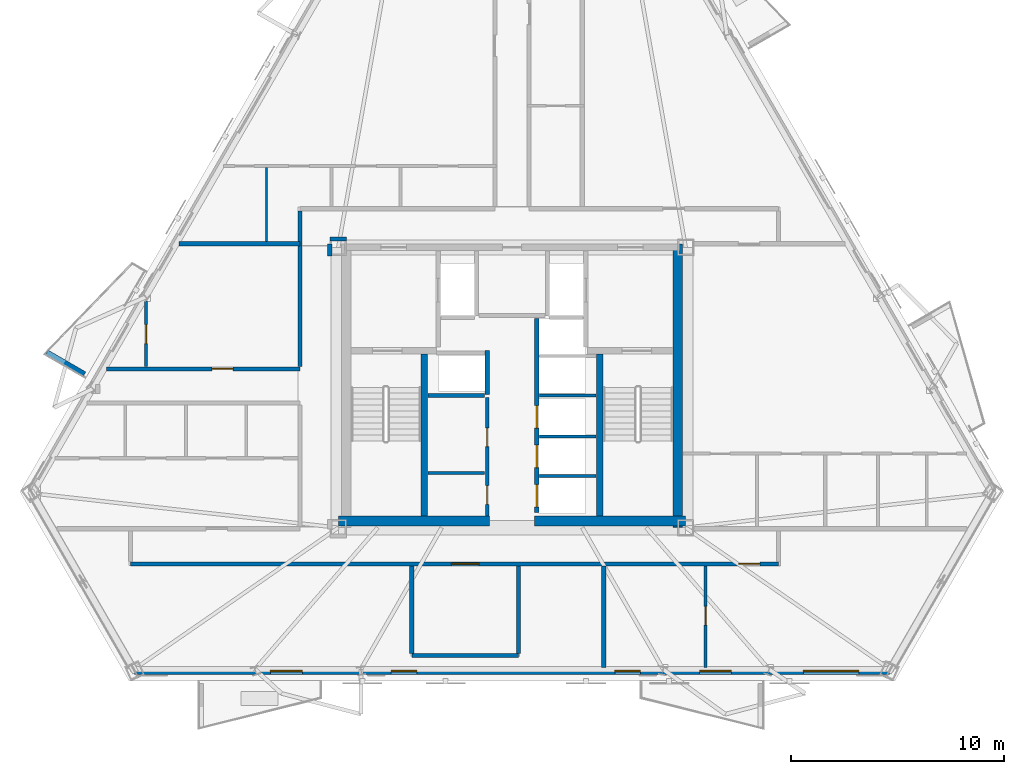
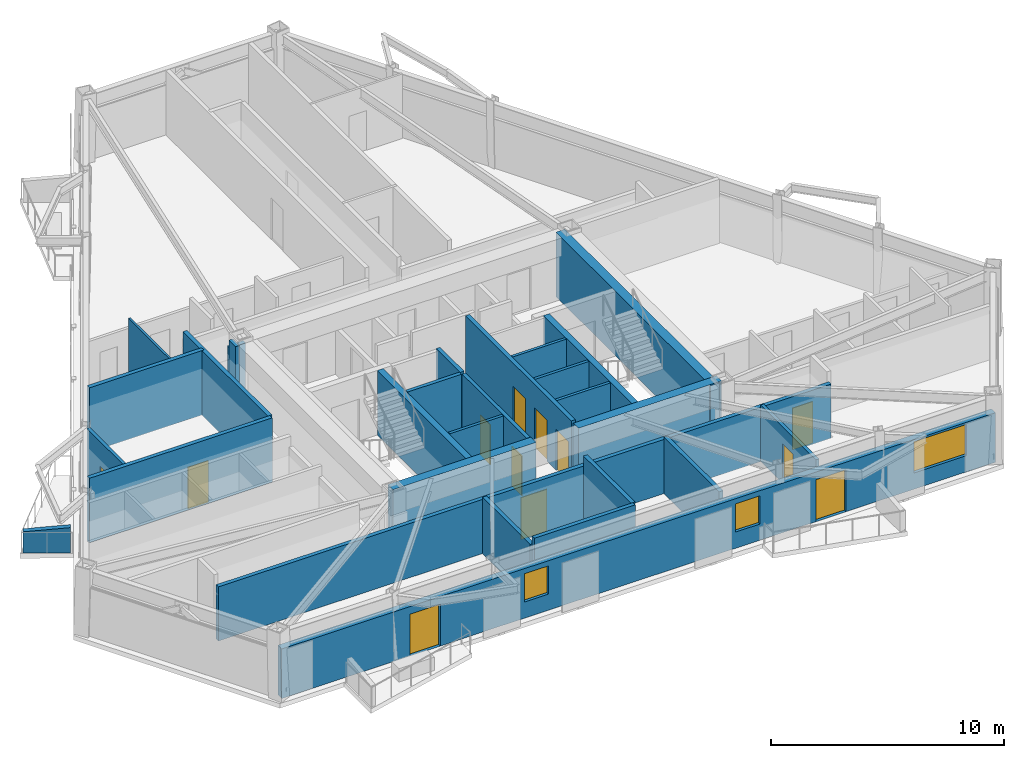
# One storey, part 3 of 9: 28 walls, 12 doors, 3 windows, 15 openings.
"""IFC4 building model written with IfcOpenShell, lengths in metres."""

import ifcopenshell
import ifcopenshell.guid

model = None  # the IFC model being written
_history = None  # IfcOwnerHistory: only IFC2X3 demands one
_inside = {}  # id of a spatial element -> (the spatial element, [elements in it])
_under = {}  # id of a project, library or spatial element -> (it, [spatial elements below it])
_declared = {}  # id of a project -> (the project, [libraries it declares])
_typed = {}  # id of a type object -> (the type object, [elements of that type])
_made_of = {}  # id of a material, layer set ... -> (it, [elements and type objects made of it])


def new_model(schema):
    """Start an empty IFC model of exactly this schema.

    Asked for "IFC4X3", IfcOpenShell would pick the latest addendum, in which some entities
    have other attributes; the version numbers below select the first issue.
    IFC2X3 requires an IfcOwnerHistory on every rooted entity: one is made here for all.
    """
    global model, _history
    if schema == "IFC4X3":
        model = ifcopenshell.file(schema_version=(4, 3, 0, 0))
    else:
        model = ifcopenshell.file(schema=schema)
    _inside.clear()
    _under.clear()
    _declared.clear()
    _typed.clear()
    _made_of.clear()
    _history = None
    if model.schema == "IFC2X3":
        org = make("IfcOrganization", Name="unknown")
        user = make(
            "IfcPersonAndOrganization",
            ThePerson=make("IfcPerson", FamilyName="unknown"),
            TheOrganization=org,
        )
        app = make(
            "IfcApplication",
            ApplicationDeveloper=org,
            Version="unknown",
            ApplicationFullName="unknown",
            ApplicationIdentifier="unknown",
        )
        _history = make(
            "IfcOwnerHistory",
            OwningUser=user,
            OwningApplication=app,
            ChangeAction="ADDED",
            CreationDate=0,
        )
    return model


def make(cls, **values):
    """One entity of the class cls with the attributes given. An attribute that is None is left unset."""
    return model.create_entity(
        cls, **{name: value for name, value in values.items() if value is not None}
    )


def rooted(cls, **values):
    """An entity with a GlobalId (a new one), such as an element, a storey or a relation."""
    return make(cls, GlobalId=ifcopenshell.guid.new(), OwnerHistory=_history, **values)


def si_unit(unit_type, name, prefix=None):
    """IfcSIUnit, for example si_unit("LENGTHUNIT", "METRE", prefix="MILLI")."""
    return make("IfcSIUnit", UnitType=unit_type, Prefix=prefix, Name=name)


def assignment(units):
    """IfcUnitAssignment: the units of a project."""
    return None if units is None else make("IfcUnitAssignment", Units=units)


def point(xyz):
    """IfcCartesianPoint."""
    return None if xyz is None else make("IfcCartesianPoint", Coordinates=xyz)


def direction(xyz):
    """IfcDirection."""
    return None if xyz is None else make("IfcDirection", DirectionRatios=xyz)


def frame(location, z_axis=None, x_axis=None):
    """IfcAxis2Placement3D, a coordinate frame: its origin and axes. An axis left out is left unset."""
    return make(
        "IfcAxis2Placement3D",
        Location=point(location),
        Axis=direction(z_axis),
        RefDirection=direction(x_axis),
    )


def frame_2d(location, x_axis=None):
    """IfcAxis2Placement2D, a coordinate frame in the plane: its origin and x axis."""
    return make(
        "IfcAxis2Placement2D", Location=point(location), RefDirection=direction(x_axis)
    )


def origin():
    """The frame at (0, 0, 0) with its axes left unset."""
    return frame((0.0, 0.0, 0.0))


def place(relative_to, where):
    """IfcLocalPlacement: puts the frame where relative to a parent placement (None: the world)."""
    return make(
        "IfcLocalPlacement", PlacementRelTo=relative_to, RelativePlacement=where
    )


def context(
    kind, dimensions, precision=None, world=None, true_north=None, identifier=None
):
    """IfcGeometricRepresentationContext, for example the 3D "Model" context."""
    return make(
        "IfcGeometricRepresentationContext",
        ContextIdentifier=identifier,
        ContextType=kind,
        CoordinateSpaceDimension=dimensions,
        Precision=precision,
        WorldCoordinateSystem=world,
        TrueNorth=true_north,
    )


def subcontext(parent, identifier, kind, view, scale=None):
    """IfcGeometricRepresentationSubContext, for example "Body" below "Model"."""
    return make(
        "IfcGeometricRepresentationSubContext",
        ContextIdentifier=identifier,
        ContextType=kind,
        ParentContext=parent,
        TargetScale=scale,
        TargetView=view,
    )


def project(units=None, contexts=None):
    """IfcProject with its units and contexts."""
    return rooted(
        "IfcProject",
        Name="project",
        RepresentationContexts=contexts,
        UnitsInContext=assignment(units),
    )


def spatial(cls, under=None, at=None, **own):
    """A site, building, storey or space (cls), placed at a placement, below another one or the project."""
    s = rooted(cls, ObjectPlacement=at, **own)
    if under is not None:
        _under.setdefault(under.id(), (under, []))[1].append(s)
    return s


def polyline(points):
    """IfcPolyline through the points."""
    return make("IfcPolyline", Points=[point(p) for p in points])


def profile(cls, at=None, kind="AREA", **sizes):
    """A parametric profile (cls). Its sizes go by their IFC names, for example OverallWidth=200.0."""
    return make(cls, ProfileType=kind, Position=at, **sizes)


def rectangle(**sizes):
    """IfcRectangleProfileDef."""
    return profile("IfcRectangleProfileDef", **sizes)


def outline(outer, holes=None, kind="AREA"):
    """IfcArbitraryClosedProfileDef: a profile drawn as a closed curve; with holes, ...WithVoids."""
    if holes is None:
        return make("IfcArbitraryClosedProfileDef", ProfileType=kind, OuterCurve=outer)
    return make(
        "IfcArbitraryProfileDefWithVoids",
        ProfileType=kind,
        OuterCurve=outer,
        InnerCurves=holes,
    )


def extrude(swept, where, along, depth):
    """IfcExtrudedAreaSolid: the profile swept, set in the frame where, extruded along a direction by depth."""
    return make(
        "IfcExtrudedAreaSolid",
        SweptArea=swept,
        Position=where,
        ExtrudedDirection=direction(along),
        Depth=depth,
    )


def shape(context_of_items, identifier, shape_type, items):
    """IfcShapeRepresentation: the items that make up one representation, for example the "Body"."""
    return make(
        "IfcShapeRepresentation",
        ContextOfItems=context_of_items,
        RepresentationIdentifier=identifier,
        RepresentationType=shape_type,
        Items=items,
    )


def material(Name=None, Category=None):
    """IfcMaterial."""
    return make("IfcMaterial", Name=Name, Category=Category)


def layer(
    of_material, thickness, ventilated=None, Name=None, Category=None, Priority=None
):
    """IfcMaterialLayer: one layer of a wall or slab, of a material (None: an air gap)."""
    return make(
        "IfcMaterialLayer",
        Material=of_material,
        LayerThickness=thickness,
        IsVentilated=ventilated,
        Name=Name,
        Category=Category,
        Priority=Priority,
    )


def layer_set(layers, Name=None):
    """IfcMaterialLayerSet."""
    return make("IfcMaterialLayerSet", MaterialLayers=layers, LayerSetName=Name)


def made_of(thing, what):
    """Note that an element or type object is made of a material, layer set ...; save() writes the relation."""
    if what is not None:
        _made_of.setdefault(what.id(), (what, []))[1].append(thing)
    return thing


def type_object(cls, material=None, **own):
    """A type object (cls), such as IfcWallType, which elements share."""
    return made_of(rooted(cls, **own), material)


def element(
    cls,
    number,
    at=None,
    inside=None,
    cuts=None,
    type_object=None,
    material=None,
    context=None,
    identifier="Body",
    shape_type=None,
    held_by="IfcProductDefinitionShape",
    body=None,
    shapes=None,
    **own,
):
    """One element of the class cls, such as IfcWall. Its Tag is "e" and its number.

    at: its placement. inside: the storey or other place that contains it. cuts: it is an
    opening in that element (IfcRelVoidsElement). A single representation is given by context,
    identifier, shape_type and body (its items); several are given by shapes. held_by: the class
    of the entity that holds the representations. save() writes the other relations.
    """
    e = rooted(cls, Tag="e%d" % number, ObjectPlacement=at, **own)
    if body is not None:
        shapes = [shape(context, identifier, shape_type, body)]
    if shapes is not None:
        e.Representation = make(held_by, Representations=shapes)
    if inside is not None:
        _inside.setdefault(inside.id(), (inside, []))[1].append(e)
    if cuts is not None:
        rooted(
            "IfcRelVoidsElement", RelatingBuildingElement=cuts, RelatedOpeningElement=e
        )
    if type_object is not None:
        _typed.setdefault(type_object.id(), (type_object, []))[1].append(e)
    return made_of(e, material)


def fill(opening, filler):
    """IfcRelFillsElement: the door or window that sits in an opening."""
    return rooted(
        "IfcRelFillsElement",
        RelatingOpeningElement=opening,
        RelatedBuildingElement=filler,
    )


def aggregate(whole, parts):
    """IfcRelAggregates: a whole, such as a stair, and the parts it consists of."""
    return rooted("IfcRelAggregates", RelatingObject=whole, RelatedObjects=parts)


def save(model, path):
    """Write the relations noted so far, then the file.

    IfcRelAggregates (storeys below a building ...), IfcRelContainedInSpatialStructure (elements
    in a storey), IfcRelDefinesByType, IfcRelAssociatesMaterial and IfcRelDeclares: one each for
    every whole, place, type object, material and project.
    """
    for whole, parts in _under.values():
        aggregate(whole, parts)
    for where, things in _inside.values():
        rooted(
            "IfcRelContainedInSpatialStructure",
            RelatedElements=things,
            RelatingStructure=where,
        )
    for kind, things in _typed.values():
        rooted("IfcRelDefinesByType", RelatedObjects=things, RelatingType=kind)
    for what, things in _made_of.values():
        rooted("IfcRelAssociatesMaterial", RelatedObjects=things, RelatingMaterial=what)
    for by, libraries in _declared.values():
        rooted("IfcRelDeclares", RelatingContext=by, RelatedDefinitions=libraries)
    model.write(path)


model = new_model("IFC4")

# Units and contexts
model_context = context("Model", 3, precision=1e-05, world=origin(), true_north=direction((0.0, 1.0)))
body_context = subcontext(model_context, "Body", "Model", "MODEL_VIEW")
ifc_project = project(units=[si_unit("LENGTHUNIT", "METRE"), si_unit("AREAUNIT", "SQUARE_METRE"), si_unit("VOLUMEUNIT", "CUBIC_METRE"), si_unit("PLANEANGLEUNIT", "RADIAN"), si_unit("MASSUNIT", "GRAM", prefix="KILO")], contexts=[model_context])

# Site, building, storey
site_placement = place(None, origin())
site = spatial("IfcSite", under=ifc_project, at=site_placement, CompositionType="ELEMENT")
building_placement = place(site_placement, origin())
building = spatial("IfcBuilding", under=site, at=building_placement, Name="Oramaril Tower", CompositionType="ELEMENT")
storey_placement = place(building_placement, frame((0.0, 0.0, 145.800048828125)))
storey = spatial("IfcBuildingStorey", under=building, at=storey_placement, Name="L38", CompositionType="ELEMENT", Elevation=145.800048828125)

# Wall, openings, doors, windows
ifc_material_1 = material(Name="Warm Cream Limestone", Category="masonry")
ifc_layer_1 = layer(ifc_material_1, 0.340087890625)
ifc_layer_set_1 = layer_set([ifc_layer_1], Name="WT-EXT34")
wall_type_1 = type_object("IfcWallType", Name="WT-EXT34", PredefinedType="SOLIDWALL", material=ifc_layer_set_1)
wall_1_placement = place(storey_placement, frame((19.79833984375, 4.27880859375, 0.0), z_axis=(0.0, 0.0, 1.0), x_axis=(1.0, 0.0, 0.0)))
wall_1 = element("IfcWall", 1, at=wall_1_placement, inside=storey, type_object=wall_type_1, Name="L38 Tower Limestone Facade Wall 2M", PredefinedType="SOLIDWALL", context=body_context, shape_type="SweptSolid", body=[
    extrude(rectangle(XDim=35.4033203125, YDim=0.340087890625, at=frame_2d((17.70166015625, 0.0))), origin(), (0.0, 0.0, 1.0), 2.599853515625),
])
opening_1_placement = place(wall_1_placement, frame((6.369384765625, 0.0, 0.0)))
opening_1 = element("IfcOpeningElement", 2, at=opening_1_placement, cuts=wall_1, Name="Opening D-L38-BAL-S1", PredefinedType="OPENING", context=body_context, shape_type="SweptSolid", body=[
    extrude(rectangle(XDim=1.5, YDim=2.199951171875, at=frame_2d((0.75, 1.10009765625))), frame((0.0, 0.169921875, 0.0), z_axis=(0.0, -1.0, 0.0), x_axis=(1.0, 0.0, 0.0)), (0.0, 0.0, 1.0), 0.340087890625),
])
opening_2_placement = place(wall_1_placement, frame((26.4990234375, 0.0, 0.0)))
opening_2 = element("IfcOpeningElement", 3, at=opening_2_placement, cuts=wall_1, Name="Opening D-L38-BAL-S2", PredefinedType="OPENING", context=body_context, shape_type="SweptSolid", body=[
    extrude(rectangle(XDim=1.5, YDim=2.199951171875, at=frame_2d((0.75, 1.10009765625))), frame((0.0, 0.169921875, 0.0), z_axis=(0.0, -1.0, 0.0), x_axis=(1.0, 0.0, 0.0)), (0.0, 0.0, 1.0), 0.340087890625),
])
opening_3_placement = place(wall_1_placement, frame((12.034423828125, 0.0, 0.85009765625)))
opening_3 = element("IfcOpeningElement", 4, at=opening_3_placement, cuts=wall_1, Name="Opening WN-09", PredefinedType="OPENING", context=body_context, shape_type="SweptSolid", body=[
    extrude(rectangle(XDim=1.199951171875, YDim=1.47998046875, at=frame_2d((0.60009765625, 0.739990234375))), frame((0.0, 0.169921875, 0.0), z_axis=(0.0, -1.0, 0.0), x_axis=(1.0, 0.0, 0.0)), (0.0, 0.0, 1.0), 0.340087890625),
])
opening_4_placement = place(wall_1_placement, frame((31.373046875, 0.0, 0.85009765625)))
opening_4 = element("IfcOpeningElement", 5, at=opening_4_placement, cuts=wall_1, Name="Opening WN-02", PredefinedType="OPENING", context=body_context, shape_type="SweptSolid", body=[
    extrude(rectangle(XDim=2.60009765625, YDim=1.639892578125, at=frame_2d((1.300048828125, 0.81982421875))), frame((0.0, 0.169921875, 0.0), z_axis=(0.0, -1.0, 0.0), x_axis=(1.0, 0.0, 0.0)), (0.0, 0.0, 1.0), 0.340087890625),
])
opening_5_placement = place(wall_1_placement, frame((22.524169921875, 0.0, 0.85009765625)))
opening_5 = element("IfcOpeningElement", 6, at=opening_5_placement, cuts=wall_1, Name="Opening WN-09", PredefinedType="OPENING", context=body_context, shape_type="SweptSolid", body=[
    extrude(rectangle(XDim=1.199951171875, YDim=1.47998046875, at=frame_2d((0.60009765625, 0.739990234375))), frame((0.0, 0.169921875, 0.0), z_axis=(0.0, -1.0, 0.0), x_axis=(1.0, 0.0, 0.0)), (0.0, 0.0, 1.0), 0.340087890625),
])
ifc_material_2 = material(Name="Anodised Aluminium 6063-T6", Category="aluminium")
door_type_1 = type_object("IfcDoorType", Name="DT-BAL", OperationType="NOTDEFINED", PredefinedType="DOOR", material=ifc_material_2)
door_1_placement = place(opening_1_placement, origin())
door_1 = element("IfcDoor", 7, at=door_1_placement, inside=storey, type_object=door_type_1, Name="L38 Balcony Glazed Door L38-BAL-S1", OperationType="SINGLE_SWING_LEFT", OverallHeight=2.199951171875, OverallWidth=1.5, PredefinedType="DOOR", context=body_context, shape_type="SweptSolid", body=[
    extrude(rectangle(XDim=1.5, YDim=2.199951171875, at=frame_2d((0.75, 1.10009765625))), frame((0.0, 0.02490234375, 0.0), z_axis=(0.0, -1.0, 0.0), x_axis=(1.0, 0.0, 0.0)), (0.0, 0.0, 1.0), 0.050048828125),
])
fill(opening_1, door_1)
door_2_placement = place(opening_2_placement, origin())
door_2 = element("IfcDoor", 8, at=door_2_placement, inside=storey, type_object=door_type_1, Name="L38 Balcony Glazed Door L38-BAL-S2", OperationType="SINGLE_SWING_RIGHT", OverallHeight=2.199951171875, OverallWidth=1.5, PredefinedType="DOOR", context=body_context, shape_type="SweptSolid", body=[
    extrude(rectangle(XDim=1.5, YDim=2.199951171875, at=frame_2d((0.75, 1.10009765625))), frame((0.0, 0.02490234375, 0.0), z_axis=(0.0, -1.0, 0.0), x_axis=(1.0, 0.0, 0.0)), (0.0, 0.0, 1.0), 0.050048828125),
])
fill(opening_2, door_2)
ifc_material_3 = material(Name="Coastal Low-E Insulated Glass", Category="glass")
window_type_1 = type_object("IfcWindowType", Name="WNT-02", PartitioningType="SINGLE_PANEL", PredefinedType="WINDOW", material=ifc_material_3)
window_1_placement = place(opening_4_placement, origin())
window_1 = element("IfcWindow", 9, at=window_1_placement, inside=storey, type_object=window_type_1, Name="L38 Chicago Bay Window WN-02", OverallHeight=1.639892578125, OverallWidth=2.60009765625, PartitioningType="SINGLE_PANEL", PredefinedType="WINDOW", context=body_context, shape_type="SweptSolid", body=[
    extrude(rectangle(XDim=2.60009765625, YDim=1.639892578125, at=frame_2d((1.300048828125, 0.81982421875))), frame((0.0, 0.030029296875, 0.0), z_axis=(0.0, -1.0, 0.0), x_axis=(1.0, 0.0, 0.0)), (0.0, 0.0, 1.0), 0.06005859375),
])
fill(opening_4, window_1)
ifc_material_4 = material(Name="Coastal Low-E Insulated Glass", Category="glass")
window_type_2 = type_object("IfcWindowType", Name="WNT-09", PartitioningType="SINGLE_PANEL", PredefinedType="WINDOW", material=ifc_material_4)
window_2_placement = place(opening_3_placement, origin())
window_2 = element("IfcWindow", 10, at=window_2_placement, inside=storey, type_object=window_type_2, Name="L38 Chicago Bay Window WN-09", OverallHeight=1.47998046875, OverallWidth=1.199951171875, PartitioningType="SINGLE_PANEL", PredefinedType="WINDOW", context=body_context, shape_type="SweptSolid", body=[
    extrude(rectangle(XDim=1.199951171875, YDim=1.47998046875, at=frame_2d((0.60009765625, 0.739990234375))), frame((0.0, 0.030029296875, 0.0), z_axis=(0.0, -1.0, 0.0), x_axis=(1.0, 0.0, 0.0)), (0.0, 0.0, 1.0), 0.06005859375),
])
fill(opening_3, window_2)
window_3_placement = place(opening_5_placement, origin())
window_3 = element("IfcWindow", 11, at=window_3_placement, inside=storey, type_object=window_type_2, Name="L38 Chicago Bay Window WN-09", OverallHeight=1.47998046875, OverallWidth=1.199951171875, PartitioningType="SINGLE_PANEL", PredefinedType="WINDOW", context=body_context, shape_type="SweptSolid", body=[
    extrude(rectangle(XDim=1.199951171875, YDim=1.47998046875, at=frame_2d((0.60009765625, 0.739990234375))), frame((0.0, 0.030029296875, 0.0), z_axis=(0.0, -1.0, 0.0), x_axis=(1.0, 0.0, 0.0)), (0.0, 0.0, 1.0), 0.06005859375),
])
fill(opening_5, window_3)

# Walls
ifc_material_5 = material(Name="Concrete C40/50", Category="concrete")
ifc_layer_2 = layer(ifc_material_5, 0.22998046875)
ifc_layer_set_2 = layer_set([ifc_layer_2], Name="WT-PRP23")
wall_type_2 = type_object("IfcWallType", Name="WT-PRP23", PredefinedType="PARAPET", material=ifc_layer_set_2)
wall_2_placement = place(storey_placement, frame((17.449462890625, 18.209716796875, 0.0), z_axis=(0.0, 0.0, 1.0), x_axis=(-0.866042246008, 0.499970827278, 0.0)))
element("IfcWall", 12, at=wall_2_placement, inside=storey, type_object=wall_type_2, Name="L38 Trapezoidal Balcony Frame Cheek L38-BAL-NW2-R", PredefinedType="PARAPET", context=body_context, shape_type="SweptSolid", body=[
    extrude(outline(polyline([(0.0, 0.0), (2.0419921875, 0.0), (2.0419921875, 1.099853515625), (0.0, 1.320068359375), (0.0, 0.0)])), frame((0.0, 0.114990234375, 0.0), z_axis=(0.0, -1.0, 0.0), x_axis=(1.0, 0.0, 0.0)), (0.0, 0.0, 1.0), 0.22998046875),
])
ifc_material_6 = material(Name="Acoustic Gypsum Board Partition")
ifc_layer_3 = layer(ifc_material_6, 0.10009765625)
ifc_layer_set_3 = layer_set([ifc_layer_3], Name="WT-PT10")
wall_type_3 = type_object("IfcWallType", Name="WT-PT10", PredefinedType="PARTITIONING", material=ifc_layer_set_3)
wall_3_placement = place(storey_placement, frame((25.97998046875, 24.424072265625, 0.0), z_axis=(0.0, 0.0, 1.0), x_axis=(0.0, 1.0, 0.0)))
element("IfcWall", 13, at=wall_3_placement, inside=storey, type_object=wall_type_3, Name="L38 Interior Partition PT-10", PredefinedType="PARTITIONING", context=body_context, shape_type="SweptSolid", body=[
    extrude(rectangle(XDim=3.471923828125, YDim=0.10009765625, at=frame_2d((1.73583984375, 0.0))), origin(), (0.0, 0.0, 1.0), 3.3798828125),
])
ifc_material_7 = material(Name="Acoustic Gypsum Board Partition")
ifc_layer_4 = layer(ifc_material_7, 0.139892578125)
ifc_layer_set_4 = layer_set([ifc_layer_4], Name="WT-PT14")
wall_type_4 = type_object("IfcWallType", Name="WT-PT14", PredefinedType="PARTITIONING", material=ifc_layer_set_4)
for number, where, z_axis, x_axis, name in (
    (14, (33.56005859375, 13.570068359375, 0.0), (0.0, 0.0, 1.0), (1.0, 0.0, 0.0), "L38 Freed Shaft Divider"),
    (15, (38.780029296875, 13.419921875, 0.0), (0.0, 0.0, 1.0), (1.0, 0.0, 0.0), "L38 East Lift Divider"),
    (16, (38.780029296875, 15.27001953125, 0.0), (0.0, 0.0, 1.0), (1.0, 0.0, 0.0), "L38 East Lift Divider"),
    (17, (38.780029296875, 17.199951171875, 0.0), (0.0, 0.0, 1.0), (1.0, 0.0, 0.0), "L38 East Lift Divider"),
):
    element("IfcWall", number, at=place(storey_placement, frame(where, z_axis=z_axis, x_axis=x_axis)), inside=storey, type_object=wall_type_4, Name=name, PredefinedType="PARTITIONING", context=body_context, shape_type="SweptSolid", body=[
        extrude(rectangle(XDim=2.659912109375, YDim=0.139892578125, at=frame_2d((1.330078125, 0.0))), origin(), (0.0, 0.0, 1.0), 3.3798828125),
    ])

# Wall, opening, door
ifc_material_8 = material(Name="Acoustic Gypsum Board Partition")
ifc_layer_5 = layer(ifc_material_8, 0.159912109375)
ifc_layer_set_5 = layer_set([ifc_layer_5], Name="WT-PT16")
wall_type_5 = type_object("IfcWallType", Name="WT-PT16", PredefinedType="PARTITIONING", material=ifc_layer_set_5)
wall_4_placement = place(storey_placement, frame((20.330078125, 18.553955078125, 0.0), z_axis=(0.0, 0.0, 1.0), x_axis=(0.0, 1.0, 0.0)))
wall_4 = element("IfcWall", 18, at=wall_4_placement, inside=storey, type_object=wall_type_5, Name="L38 Interior Partition PT-16", PredefinedType="PARTITIONING", context=body_context, shape_type="SweptSolid", body=[
    extrude(rectangle(XDim=3.084716796875, YDim=0.159912109375, at=frame_2d((1.54248046875, 0.0))), origin(), (0.0, 0.0, 1.0), 3.3798828125),
])
opening_6_placement = place(wall_4_placement, frame((1.0888671875, 0.0, 0.0)))
opening_6 = element("IfcOpeningElement", 19, at=opening_6_placement, cuts=wall_4, Name="Opening D-L38-22", PredefinedType="OPENING", context=body_context, shape_type="SweptSolid", body=[
    extrude(rectangle(XDim=0.8798828125, YDim=2.080078125, at=frame_2d((0.43994140625, 1.0400390625))), frame((0.0, 0.080078125, 0.0), z_axis=(0.0, -1.0, 0.0), x_axis=(1.0, 0.0, 0.0)), (0.0, 0.0, 1.0), 0.159912109375),
])
ifc_material_9 = material(Name="FSC Brazilian Freijo Hardwood", Category="wood")
door_type_2 = type_object("IfcDoorType", Name="DT-BATH", OperationType="NOTDEFINED", PredefinedType="DOOR", material=ifc_material_9)
door_3_placement = place(opening_6_placement, origin())
door_3 = element("IfcDoor", 20, at=door_3_placement, inside=storey, type_object=door_type_2, Name="L38 Flat L38-U4 Bathroom Door D-L38-22", OperationType="SINGLE_SWING_RIGHT", OverallHeight=2.080078125, OverallWidth=0.8798828125, PredefinedType="DOOR", context=body_context, shape_type="SweptSolid", body=[
    extrude(rectangle(XDim=0.8798828125, YDim=2.080078125, at=frame_2d((0.43994140625, 1.0400390625))), frame((0.0, 0.02490234375, 0.0), z_axis=(0.0, -1.0, 0.0), x_axis=(1.0, 0.0, 0.0)), (0.0, 0.0, 1.0), 0.050048828125),
])
fill(opening_6, door_3)

wall_5_placement = place(storey_placement, frame((46.580078125, 4.452880859375, 0.0), z_axis=(0.0, 0.0, 1.0), x_axis=(0.0, 1.0, 0.0)))
wall_5 = element("IfcWall", 21, at=wall_5_placement, inside=storey, type_object=wall_type_5, Name="L38 Interior Partition PT-16", PredefinedType="PARTITIONING", context=body_context, shape_type="SweptSolid", body=[
    extrude(rectangle(XDim=4.7431640625, YDim=0.159912109375, at=frame_2d((2.37158203125, 0.0))), origin(), (0.0, 0.0, 1.0), 2.966064453125),
])
opening_7_placement = place(wall_5_placement, frame((1.9716796875, 0.0, 0.0)))
opening_7 = element("IfcOpeningElement", 22, at=opening_7_placement, cuts=wall_5, Name="Opening D-L38-25", PredefinedType="OPENING", context=body_context, shape_type="SweptSolid", body=[
    extrude(rectangle(XDim=0.8798828125, YDim=2.080078125, at=frame_2d((0.43994140625, 1.0400390625))), frame((0.0, 0.080078125, 0.0), z_axis=(0.0, -1.0, 0.0), x_axis=(1.0, 0.0, 0.0)), (0.0, 0.0, 1.0), 0.159912109375),
])
door_4_placement = place(opening_7_placement, origin())
door_4 = element("IfcDoor", 23, at=door_4_placement, inside=storey, type_object=door_type_2, Name="L38 Flat L38-U2 Bathroom Door D-L38-25", OperationType="SINGLE_SWING_LEFT", OverallHeight=2.080078125, OverallWidth=0.8798828125, PredefinedType="DOOR", context=body_context, shape_type="SweptSolid", body=[
    extrude(rectangle(XDim=0.8798828125, YDim=2.080078125, at=frame_2d((0.43994140625, 1.0400390625))), frame((0.0, 0.02490234375, 0.0), z_axis=(0.0, -1.0, 0.0), x_axis=(1.0, 0.0, 0.0)), (0.0, 0.0, 1.0), 0.050048828125),
])
fill(opening_7, door_4)

# Wall
ifc_material_10 = material(Name="Autoclaved Cellular Concrete Block", Category="concrete")
ifc_layer_6 = layer(ifc_material_10, 0.179931640625)
ifc_layer_set_6 = layer_set([ifc_layer_6], Name="WT-PT18")
wall_type_6 = type_object("IfcWallType", Name="WT-PT18", PredefinedType="PARTITIONING", material=ifc_layer_set_6)
wall_6_placement = place(storey_placement, frame((33.56005859375, 17.199951171875, 0.0), z_axis=(0.0, 0.0, 1.0), x_axis=(1.0, 0.0, 0.0)))
element("IfcWall", 24, at=wall_6_placement, inside=storey, type_object=wall_type_6, Name="L38 High-Rise Lift H1 South Wall", PredefinedType="PARTITIONING", context=body_context, shape_type="SweptSolid", body=[
    extrude(rectangle(XDim=2.659912109375, YDim=0.179931640625, at=frame_2d((1.330078125, 0.0))), origin(), (0.0, 0.0, 1.0), 3.3798828125),
])

# Wall, openings, doors
wall_7_placement = place(storey_placement, frame((36.340087890625, 11.550048828125, 0.0), z_axis=(0.0, 0.0, 1.0), x_axis=(0.0, 1.0, 0.0)))
wall_7 = element("IfcWall", 25, at=wall_7_placement, inside=storey, type_object=wall_type_6, Name="L38 Freed Shaft Study East Wall", PredefinedType="PARTITIONING", context=body_context, shape_type="SweptSolid", body=[
    extrude(rectangle(XDim=5.550048828125, YDim=0.179931640625, at=frame_2d((2.77490234375, 0.0))), origin(), (0.0, 0.0, 1.0), 3.3798828125),
])
opening_8_placement = place(wall_7_placement, frame((0.550048828125, 0.0, 0.0)))
opening_8 = element("IfcOpeningElement", 26, at=opening_8_placement, cuts=wall_7, Name="Opening D-L38-FL1", PredefinedType="OPENING", context=body_context, shape_type="SweptSolid", body=[
    extrude(rectangle(XDim=0.8798828125, YDim=2.080078125, at=frame_2d((0.43994140625, 1.0400390625))), frame((0.0, 0.08984375, 0.0), z_axis=(0.0, -1.0, 0.0), x_axis=(1.0, 0.0, 0.0)), (0.0, 0.0, 1.0), 0.179931640625),
])
opening_9_placement = place(wall_7_placement, frame((3.25, 0.0, 0.0)))
opening_9 = element("IfcOpeningElement", 27, at=opening_9_placement, cuts=wall_7, Name="Opening D-L38-FL2", PredefinedType="OPENING", context=body_context, shape_type="SweptSolid", body=[
    extrude(rectangle(XDim=0.8798828125, YDim=2.080078125, at=frame_2d((0.43994140625, 1.0400390625))), frame((0.0, 0.08984375, 0.0), z_axis=(0.0, -1.0, 0.0), x_axis=(1.0, 0.0, 0.0)), (0.0, 0.0, 1.0), 0.179931640625),
])
door_5_placement = place(opening_8_placement, origin())
door_5 = element("IfcDoor", 28, at=door_5_placement, inside=storey, type_object=door_type_2, Name="L38 L38 Residents Tasting Dining Nook Door", OperationType="SINGLE_SWING_LEFT", OverallHeight=2.080078125, OverallWidth=0.8798828125, PredefinedType="DOOR", context=body_context, shape_type="SweptSolid", body=[
    extrude(rectangle(XDim=0.8798828125, YDim=2.080078125, at=frame_2d((0.43994140625, 1.0400390625))), frame((0.0, 0.02490234375, 0.0), z_axis=(0.0, -1.0, 0.0), x_axis=(1.0, 0.0, 0.0)), (0.0, 0.0, 1.0), 0.050048828125),
])
fill(opening_8, door_5)
door_6_placement = place(opening_9_placement, origin())
door_6 = element("IfcDoor", 29, at=door_6_placement, inside=storey, type_object=door_type_2, Name="L38 L38 Floor Co-Work Office Door", OperationType="SINGLE_SWING_RIGHT", OverallHeight=2.080078125, OverallWidth=0.8798828125, PredefinedType="DOOR", context=body_context, shape_type="SweptSolid", body=[
    extrude(rectangle(XDim=0.8798828125, YDim=2.080078125, at=frame_2d((0.43994140625, 1.0400390625))), frame((0.0, 0.02490234375, 0.0), z_axis=(0.0, -1.0, 0.0), x_axis=(1.0, 0.0, 0.0)), (0.0, 0.0, 1.0), 0.050048828125),
])
fill(opening_9, door_6)

# Wall
ifc_material_11 = material(Name="Autoclaved Cellular Concrete Block", Category="concrete")
ifc_layer_7 = layer(ifc_material_11, 0.199951171875)
ifc_layer_set_7 = layer_set([ifc_layer_7], Name="WT-PT20")
wall_type_7 = type_object("IfcWallType", Name="WT-PT20", PredefinedType="PARTITIONING", material=ifc_layer_set_7)
wall_8_placement = place(storey_placement, frame((32.800048828125, 5.0, 0.0), z_axis=(0.0, 0.0, 1.0), x_axis=(1.0, 0.0, 0.0)))
element("IfcWall", 30, at=wall_8_placement, inside=storey, type_object=wall_type_7, Name="L38 Interior Partition PT-20", PredefinedType="PARTITIONING", context=body_context, shape_type="SweptSolid", body=[
    extrude(rectangle(XDim=5.0, YDim=0.199951171875, at=frame_2d((2.5, 0.0))), origin(), (0.0, 0.0, 1.0), 3.3798828125),
])

# Wall, openings, doors
wall_9_placement = place(storey_placement, frame((19.60009765625, 9.300048828125, 0.0), z_axis=(0.0, 0.0, 1.0), x_axis=(1.0, 0.0, 0.0)))
wall_9 = element("IfcWall", 31, at=wall_9_placement, inside=storey, type_object=wall_type_7, Name="L38 Interior Partition PT-20", PredefinedType="PARTITIONING", context=body_context, shape_type="SweptSolid", body=[
    extrude(rectangle(XDim=30.39990234375, YDim=0.199951171875, at=frame_2d((15.199951171875, 0.0))), origin(), (0.0, 0.0, 1.0), 2.842041015625),
])
opening_10_placement = place(wall_9_placement, frame((15.050048828125, 0.0, 0.0)))
opening_10 = element("IfcOpeningElement", 32, at=opening_10_placement, cuts=wall_9, Name="Opening D-L38-01", PredefinedType="OPENING", context=body_context, shape_type="SweptSolid", body=[
    extrude(rectangle(XDim=1.300048828125, YDim=2.199951171875, at=frame_2d((0.64990234375, 1.10009765625))), frame((0.0, 0.10009765625, 0.0), z_axis=(0.0, -1.0, 0.0), x_axis=(1.0, 0.0, 0.0)), (0.0, 0.0, 1.0), 0.199951171875),
])
opening_11_placement = place(wall_9_placement, frame((28.533447265625, 0.0, 0.0)))
opening_11 = element("IfcOpeningElement", 33, at=opening_11_placement, cuts=wall_9, Name="Opening D-L38-02", PredefinedType="OPENING", context=body_context, shape_type="SweptSolid", body=[
    extrude(rectangle(XDim=1.0, YDim=2.179931640625, at=frame_2d((0.5, 1.08984375))), frame((0.0, 0.10009765625, 0.0), z_axis=(0.0, -1.0, 0.0), x_axis=(1.0, 0.0, 0.0)), (0.0, 0.0, 1.0), 0.199951171875),
])
ifc_material_12 = material(Name="FSC Brazilian Freijo Hardwood", Category="wood")
door_type_3 = type_object("IfcDoorType", Name="DT-APT", OperationType="NOTDEFINED", PredefinedType="DOOR", material=ifc_material_12)
door_7_placement = place(opening_11_placement, origin())
door_7 = element("IfcDoor", 34, at=door_7_placement, inside=storey, type_object=door_type_3, Name="L38 Flat L38-U2 Kitchen and Studio Apartment Door D-L38-02", OperationType="SINGLE_SWING_RIGHT", OverallHeight=2.179931640625, OverallWidth=1.0, PredefinedType="DOOR", context=body_context, shape_type="SweptSolid", body=[
    extrude(rectangle(XDim=1.0, YDim=2.179931640625, at=frame_2d((0.5, 1.08984375))), frame((0.0, 0.02490234375, 0.0), z_axis=(0.0, -1.0, 0.0), x_axis=(1.0, 0.0, 0.0)), (0.0, 0.0, 1.0), 0.050048828125),
])
fill(opening_11, door_7)
ifc_material_13 = material(Name="FSC Brazilian Freijo Hardwood", Category="wood")
door_type_4 = type_object("IfcDoorType", Name="DT-COM", OperationType="NOTDEFINED", PredefinedType="DOOR", material=ifc_material_13)
door_8_placement = place(opening_10_placement, origin())
door_8 = element("IfcDoor", 35, at=door_8_placement, inside=storey, type_object=door_type_4, Name="L38 L38 Residents Floor Meeting Suite Door D-L38-01", OperationType="SINGLE_SWING_LEFT", OverallHeight=2.199951171875, OverallWidth=1.300048828125, PredefinedType="DOOR", context=body_context, shape_type="SweptSolid", body=[
    extrude(rectangle(XDim=1.300048828125, YDim=2.199951171875, at=frame_2d((0.64990234375, 1.10009765625))), frame((0.0, 0.02490234375, 0.0), z_axis=(0.0, -1.0, 0.0), x_axis=(1.0, 0.0, 0.0)), (0.0, 0.0, 1.0), 0.050048828125),
])
fill(opening_10, door_8)

# Wall, opening, door
wall_10_placement = place(storey_placement, frame((18.4794921875, 18.449951171875, 0.0), z_axis=(0.0, 0.0, 1.0), x_axis=(1.0, 0.0, 0.0)))
wall_10 = element("IfcWall", 36, at=wall_10_placement, inside=storey, type_object=wall_type_7, Name="L38 Interior Partition PT-20", PredefinedType="PARTITIONING", context=body_context, shape_type="SweptSolid", body=[
    extrude(rectangle(XDim=9.070556640625, YDim=0.199951171875, at=frame_2d((4.53515625, 0.0))), origin(), (0.0, 0.0, 1.0), 3.3798828125),
])
opening_12_placement = place(wall_10_placement, frame((4.94140625, 0.0, 0.0)))
opening_12 = element("IfcOpeningElement", 37, at=opening_12_placement, cuts=wall_10, Name="Opening D-L38-13", PredefinedType="OPENING", context=body_context, shape_type="SweptSolid", body=[
    extrude(rectangle(XDim=1.0, YDim=2.179931640625, at=frame_2d((0.5, 1.08984375))), frame((0.0, 0.10009765625, 0.0), z_axis=(0.0, -1.0, 0.0), x_axis=(1.0, 0.0, 0.0)), (0.0, 0.0, 1.0), 0.199951171875),
])
door_9_placement = place(opening_12_placement, origin())
door_9 = element("IfcDoor", 38, at=door_9_placement, inside=storey, type_object=door_type_3, Name="L38 Flat L38-U4 Kitchen and Studio Apartment Door D-L38-13", OperationType="SINGLE_SWING_LEFT", OverallHeight=2.179931640625, OverallWidth=1.0, PredefinedType="DOOR", context=body_context, shape_type="SweptSolid", body=[
    extrude(rectangle(XDim=1.0, YDim=2.179931640625, at=frame_2d((0.5, 1.08984375))), frame((0.0, 0.02490234375, 0.0), z_axis=(0.0, -1.0, 0.0), x_axis=(1.0, 0.0, 0.0)), (0.0, 0.0, 1.0), 0.050048828125),
])
fill(opening_12, door_9)

# Walls
wall_11_placement = place(storey_placement, frame((21.86865234375, 24.320068359375, 0.0), z_axis=(0.0, 0.0, 1.0), x_axis=(1.0, 0.0, 0.0)))
element("IfcWall", 39, at=wall_11_placement, inside=storey, type_object=wall_type_7, Name="L38 Interior Partition PT-20", PredefinedType="PARTITIONING", context=body_context, shape_type="SweptSolid", body=[
    extrude(rectangle(XDim=5.681396484375, YDim=0.199951171875, at=frame_2d((2.8408203125, 0.0))), origin(), (0.0, 0.0, 1.0), 3.3798828125),
])
wall_12_placement = place(storey_placement, frame((28.955078125, 24.550048828125, 0.0), z_axis=(0.0, 0.0, 1.0), x_axis=(1.0, 0.0, 0.0)))
element("IfcWall", 40, at=wall_12_placement, inside=storey, type_object=wall_type_7, Name="L38 Interior Partition PT-20", PredefinedType="PARTITIONING", context=body_context, shape_type="SweptSolid", body=[
    extrude(rectangle(XDim=0.7900390625, YDim=0.199951171875, at=frame_2d((0.39501953125, 0.0))), origin(), (0.0, 0.0, 1.0), 2.842041015625),
])
wall_13_placement = place(storey_placement, frame((27.550048828125, 18.553955078125, 0.0), z_axis=(0.0, 0.0, 1.0), x_axis=(0.0, 1.0, 0.0)))
element("IfcWall", 41, at=wall_13_placement, inside=storey, type_object=wall_type_7, Name="L38 Interior Partition PT-20", PredefinedType="PARTITIONING", context=body_context, shape_type="SweptSolid", body=[
    extrude(rectangle(XDim=7.31201171875, YDim=0.199951171875, at=frame_2d((3.656005859375, 0.0))), origin(), (0.0, 0.0, 1.0), 3.3798828125),
])
wall_14_placement = place(storey_placement, frame((28.949951171875, 23.7548828125, 0.0), z_axis=(0.0, 0.0, 1.0), x_axis=(0.0, 1.0, 0.0)))
element("IfcWall", 42, at=wall_14_placement, inside=storey, type_object=wall_type_7, Name="L38 Interior Partition PT-20", PredefinedType="PARTITIONING", context=body_context, shape_type="SweptSolid", body=[
    extrude(rectangle(XDim=0.565185546875, YDim=0.199951171875, at=frame_2d((0.28271484375, 0.0))), origin(), (0.0, 0.0, 1.0), 3.3798828125),
])
wall_15_placement = place(storey_placement, frame((32.800048828125, 5.10400390625, 0.0), z_axis=(0.0, 0.0, 1.0), x_axis=(0.0, 1.0, 0.0)))
element("IfcWall", 43, at=wall_15_placement, inside=storey, type_object=wall_type_7, Name="L38 Interior Partition PT-20", PredefinedType="PARTITIONING", context=body_context, shape_type="SweptSolid", body=[
    extrude(rectangle(XDim=4.092041015625, YDim=0.199951171875, at=frame_2d((2.0458984375, 0.0))), origin(), (0.0, 0.0, 1.0), 2.966064453125),
])
wall_16_placement = place(storey_placement, frame((37.800048828125, 5.10400390625, 0.0), z_axis=(0.0, 0.0, 1.0), x_axis=(0.0, 1.0, 0.0)))
element("IfcWall", 44, at=wall_16_placement, inside=storey, type_object=wall_type_7, Name="L38 Interior Partition PT-20", PredefinedType="PARTITIONING", context=body_context, shape_type="SweptSolid", body=[
    extrude(rectangle(XDim=4.092041015625, YDim=0.199951171875, at=frame_2d((2.0458984375, 0.0))), origin(), (0.0, 0.0, 1.0), 3.3798828125),
])
wall_17_placement = place(storey_placement, frame((41.800048828125, 4.452880859375, 0.0), z_axis=(0.0, 0.0, 1.0), x_axis=(0.0, 1.0, 0.0)))
element("IfcWall", 45, at=wall_17_placement, inside=storey, type_object=wall_type_7, Name="L38 Interior Partition PT-20", PredefinedType="PARTITIONING", context=body_context, shape_type="SweptSolid", body=[
    extrude(rectangle(XDim=4.7431640625, YDim=0.199951171875, at=frame_2d((2.37158203125, 0.0))), origin(), (0.0, 0.0, 1.0), 2.966064453125),
])
ifc_material_14 = material(Name="Concrete C50/60", Category="concrete")
ifc_layer_8 = layer(ifc_material_14, 0.300048828125)
ifc_layer_set_8 = layer_set([ifc_layer_8], Name="WT-SH30")
wall_type_8 = type_object("IfcWallType", Name="WT-SH30", PredefinedType="SHEAR", material=ifc_layer_set_8)
for number, where, z_axis, x_axis, name in (
    (46, (33.3798828125, 11.5400390625, 0.0), (0.0, 0.0, 1.0), (0.0, 1.0, 0.0), "L38 Core Shear Wall CW-ST1E"),
    (47, (41.6201171875, 11.5400390625, 0.0), (0.0, 0.0, 1.0), (0.0, 1.0, 0.0), "L38 Core Shear Wall CW-ST2W"),
):
    element("IfcWall", number, at=place(storey_placement, frame(where, z_axis=z_axis, x_axis=x_axis)), inside=storey, type_object=wall_type_8, Name=name, PredefinedType="SHEAR", context=body_context, shape_type="SweptSolid", body=[
        extrude(rectangle(XDim=7.619873046875, YDim=0.300048828125, at=frame_2d((3.81005859375, 0.0))), origin(), (0.0, 0.0, 1.0), 3.3798828125),
    ])
ifc_material_15 = material(Name="Concrete C50/60", Category="concrete")
ifc_layer_9 = layer(ifc_material_15, 0.449951171875)
ifc_layer_set_9 = layer_set([ifc_layer_9], Name="WT-SH45")
wall_type_9 = type_object("IfcWallType", Name="WT-SH45", PredefinedType="SHEAR", material=ifc_layer_set_9)
wall_18_placement = place(storey_placement, frame((45.284912109375, 11.0, 0.0), z_axis=(0.0, 0.0, 1.0), x_axis=(0.0, 1.0, 0.0)))
element("IfcWall", 48, at=wall_18_placement, inside=storey, type_object=wall_type_9, Name="L38 Core Shear Wall CW-E", PredefinedType="SHEAR", context=body_context, shape_type="SweptSolid", body=[
    extrude(rectangle(XDim=13.300048828125, YDim=0.449951171875, at=frame_2d((6.64990234375, 0.0))), origin(), (0.0, 0.0, 1.0), 3.3798828125),
])
for number, where, z_axis, x_axis, name in (
    (49, (29.35009765625, 11.31494140625, 0.0), (0.0, 0.0, 1.0), (1.0, 0.0, 0.0), "L38 Core Shear Wall CW-SW"),
    (50, (38.550048828125, 11.31494140625, 0.0), (0.0, 0.0, 1.0), (1.0, 0.0, 0.0), "L38 Core Shear Wall CW-SE"),
):
    element("IfcWall", number, at=place(storey_placement, frame(where, z_axis=z_axis, x_axis=x_axis)), inside=storey, type_object=wall_type_9, Name=name, PredefinedType="SHEAR", context=body_context, shape_type="SweptSolid", body=[
        extrude(rectangle(XDim=7.099853515625, YDim=0.449951171875, at=frame_2d((3.5498046875, 0.0))), origin(), (0.0, 0.0, 1.0), 3.3798828125),
    ])
ifc_material_16 = material(Name="Autoclaved Cellular Concrete Block", Category="concrete")
ifc_layer_10 = layer(ifc_material_16, 0.199951171875)
ifc_layer_set_10 = layer_set([ifc_layer_10], Name="WT-SHF20")
wall_type_10 = type_object("IfcWallType", Name="WT-SHF20", PredefinedType="PARTITIONING", material=ifc_layer_set_10)
wall_19_placement = place(storey_placement, frame((36.340087890625, 17.25, 0.0), z_axis=(0.0, 0.0, 1.0), x_axis=(0.0, 1.0, 0.0)))
element("IfcWall", 51, at=wall_19_placement, inside=storey, type_object=wall_type_10, Name="L38 High-Rise Lift H1 Front Wall", PredefinedType="PARTITIONING", context=body_context, shape_type="SweptSolid", body=[
    extrude(rectangle(XDim=2.070068359375, YDim=0.199951171875, at=frame_2d((1.03515625, 0.0))), origin(), (0.0, 0.0, 1.0), 3.3798828125),
])

# Wall, openings, doors
wall_20_placement = place(storey_placement, frame((38.659912109375, 11.719970703125, 0.0), z_axis=(0.0, 0.0, 1.0), x_axis=(0.0, 1.0, 0.0)))
wall_20 = element("IfcWall", 52, at=wall_20_placement, inside=storey, type_object=wall_type_10, Name="L38 East Lift Bank Front Wall", PredefinedType="PARTITIONING", context=body_context, shape_type="SweptSolid", body=[
    extrude(rectangle(XDim=9.10009765625, YDim=0.199951171875, at=frame_2d((4.550048828125, 0.0))), origin(), (0.0, 0.0, 1.0), 3.3798828125),
])
opening_13_placement = place(wall_20_placement, frame((0.2548828125, 0.0, 0.0)))
opening_13 = element("IfcOpeningElement", 53, at=opening_13_placement, cuts=wall_20, Name="Opening LD-L38-LP-M1", PredefinedType="OPENING", context=body_context, shape_type="SweptSolid", body=[
    extrude(rectangle(XDim=1.050048828125, YDim=2.14990234375, at=frame_2d((0.52490234375, 1.074951171875))), frame((0.0, 0.10009765625, 0.0), z_axis=(0.0, -1.0, 0.0), x_axis=(1.0, 0.0, 0.0)), (0.0, 0.0, 1.0), 0.199951171875),
])
opening_14_placement = place(wall_20_placement, frame((2.10498046875, 0.0, 0.0)))
opening_14 = element("IfcOpeningElement", 54, at=opening_14_placement, cuts=wall_20, Name="Opening LD-L38-LP-M2", PredefinedType="OPENING", context=body_context, shape_type="SweptSolid", body=[
    extrude(rectangle(XDim=1.050048828125, YDim=2.14990234375, at=frame_2d((0.52490234375, 1.074951171875))), frame((0.0, 0.10009765625, 0.0), z_axis=(0.0, -1.0, 0.0), x_axis=(1.0, 0.0, 0.0)), (0.0, 0.0, 1.0), 0.199951171875),
])
opening_15_placement = place(wall_20_placement, frame((3.955078125, 0.0, 0.0)))
opening_15 = element("IfcOpeningElement", 55, at=opening_15_placement, cuts=wall_20, Name="Opening LD-L38-LP-M3", PredefinedType="OPENING", context=body_context, shape_type="SweptSolid", body=[
    extrude(rectangle(XDim=1.050048828125, YDim=2.14990234375, at=frame_2d((0.52490234375, 1.074951171875))), frame((0.0, 0.10009765625, 0.0), z_axis=(0.0, -1.0, 0.0), x_axis=(1.0, 0.0, 0.0)), (0.0, 0.0, 1.0), 0.199951171875),
])
ifc_material_17 = material(Name="Stainless Steel 316L", Category="steel")
door_type_5 = type_object("IfcDoorType", Name="DT-LD2", OperationType="NOTDEFINED", PredefinedType="DOOR", material=ifc_material_17)
door_10_placement = place(opening_13_placement, origin())
door_10 = element("IfcDoor", 56, at=door_10_placement, inside=storey, type_object=door_type_5, Name="L38 Lift LP-M1 Sliding Landing Door", OperationType="SLIDING_TO_RIGHT", OverallHeight=2.14990234375, OverallWidth=1.050048828125, PredefinedType="DOOR", context=body_context, shape_type="SweptSolid", body=[
    extrude(rectangle(XDim=1.050048828125, YDim=2.14990234375, at=frame_2d((0.52490234375, 1.074951171875))), frame((0.0, 0.02490234375, 0.0), z_axis=(0.0, -1.0, 0.0), x_axis=(1.0, 0.0, 0.0)), (0.0, 0.0, 1.0), 0.050048828125),
])
fill(opening_13, door_10)
door_11_placement = place(opening_14_placement, origin())
door_11 = element("IfcDoor", 57, at=door_11_placement, inside=storey, type_object=door_type_5, Name="L38 Lift LP-M2 Sliding Landing Door", OperationType="SLIDING_TO_LEFT", OverallHeight=2.14990234375, OverallWidth=1.050048828125, PredefinedType="DOOR", context=body_context, shape_type="SweptSolid", body=[
    extrude(rectangle(XDim=1.050048828125, YDim=2.14990234375, at=frame_2d((0.52490234375, 1.074951171875))), frame((0.0, 0.02490234375, 0.0), z_axis=(0.0, -1.0, 0.0), x_axis=(1.0, 0.0, 0.0)), (0.0, 0.0, 1.0), 0.050048828125),
])
fill(opening_14, door_11)
door_12_placement = place(opening_15_placement, origin())
door_12 = element("IfcDoor", 58, at=door_12_placement, inside=storey, type_object=door_type_5, Name="L38 Lift LP-M3 Sliding Landing Door", OperationType="SLIDING_TO_RIGHT", OverallHeight=2.14990234375, OverallWidth=1.050048828125, PredefinedType="DOOR", context=body_context, shape_type="SweptSolid", body=[
    extrude(rectangle(XDim=1.050048828125, YDim=2.14990234375, at=frame_2d((0.52490234375, 1.074951171875))), frame((0.0, 0.02490234375, 0.0), z_axis=(0.0, -1.0, 0.0), x_axis=(1.0, 0.0, 0.0)), (0.0, 0.0, 1.0), 0.050048828125),
])
fill(opening_15, door_12)

save(model, "model.ifc")
